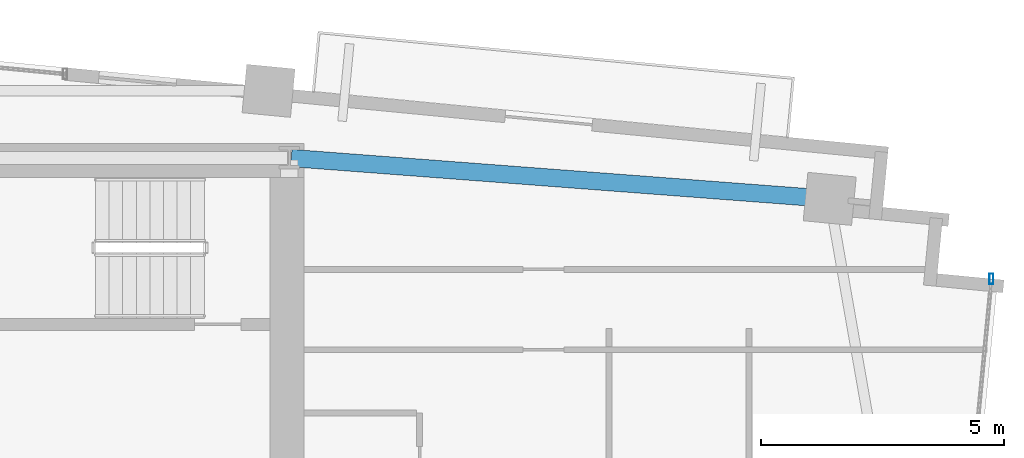
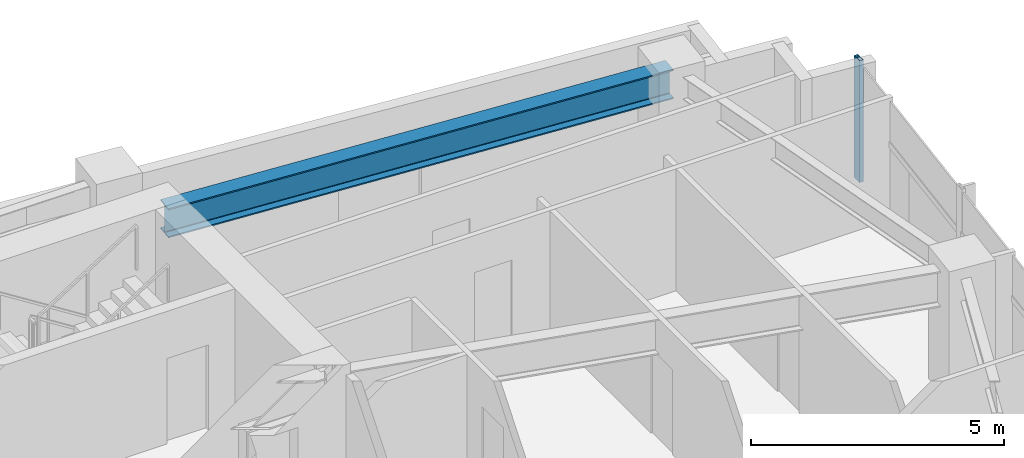
# One storey, part 12 of 19: 1 beam, 1 member, 1 element without a shape of its own.
"""IFC4 building model written with IfcOpenShell, lengths in metres."""

from ifc_helpers import new_model, si_unit, direction, frame, origin, origin_2d, place, context, subcontext, project, spatial, hollow_rectangle, i_section, extrude, source, transform, mapped, material, material_profile, profile_set, type_object, type_shapes, element, aggregate, save


model = new_model("IFC4")

# Units and contexts
model_context = context("Model", 3, precision=1e-05, world=origin(), true_north=direction((0.0, 1.0)))
body_context = subcontext(model_context, "Body", "Model", "MODEL_VIEW")
ifc_project = project(units=[si_unit("LENGTHUNIT", "METRE"), si_unit("AREAUNIT", "SQUARE_METRE"), si_unit("VOLUMEUNIT", "CUBIC_METRE"), si_unit("PLANEANGLEUNIT", "RADIAN"), si_unit("MASSUNIT", "GRAM", prefix="KILO")], contexts=[model_context])

# Site, building, storey
site_placement = place(None, origin())
site = spatial("IfcSite", under=ifc_project, at=site_placement, CompositionType="ELEMENT")
building_placement = place(site_placement, origin())
building = spatial("IfcBuilding", under=site, at=building_placement, Name="Astriad Promenade Condominiums", CompositionType="ELEMENT")
storey_placement = place(building_placement, frame((0.0, 0.0, 150.199951171875)))
storey = spatial("IfcBuildingStorey", under=building, at=storey_placement, Name="L43", CompositionType="ELEMENT", Elevation=150.199951171875)

# Beam
ifc_material_1 = material(Name="Steel ASTM A992 Grade 50", Category="steel")
ifc_material_profile_1 = material_profile(ifc_material_1, i_section(OverallWidth=0.35791015625, OverallDepth=0.706298828125, WebThickness=0.018310546875, FlangeThickness=0.0302734375, FilletRadius=0.020263671875, at=origin_2d()), Name="W27X178")
ifc_profile_set_1 = profile_set([ifc_material_profile_1], Name="Steel ASTM A992 Grade 50")
beam_type = type_object("IfcBeamType", Name="STEEL FLOOR GIRDER W27X178", PredefinedType="BEAM", material=ifc_profile_set_1)
shared_shape_1 = source(origin(), body_context, "Body", "SweptSolid", [
    extrude(i_section(OverallWidth=0.35791015625, OverallDepth=0.706298828125, WebThickness=0.018310546875, FlangeThickness=0.0302734375, FilletRadius=0.020263671875, at=origin_2d()), origin(), (0.0, 0.0, 1.0), 11.0712890625),
])
type_shapes(beam_type, [shared_shape_1])
beam_placement = place(storey_placement, frame((56.679443359375, 23.15966796875, 2.5869140625), z_axis=(-0.997135384808, 0.075637453445, 0.0), x_axis=(-0.075637453445, -0.997135384808, 0.0)))
element("IfcBeam", 1, at=beam_placement, inside=storey, type_object=beam_type, Name="Primary Floor Girder PG-NE-L43", PredefinedType="BEAM", context=body_context, shape_type="MappedRepresentation", body=[
    mapped(shared_shape_1, transform((0.0, 0.0, 0.0), scale=1.0)),
])

# Curtain wall, member
ifc_material_2 = material(Name="Anodised aluminium Black Dark Glass Unitised", Category="aluminium")
curtain_wall_type = type_object("IfcCurtainWallType", Name="CW-B34-DARK", PredefinedType="USERDEFINED", material=ifc_material_2)
curtain_wall_placement = place(storey_placement, origin())
curtain_wall = element("IfcCurtainWall", 2, at=curtain_wall_placement, inside=storey, type_object=curtain_wall_type, Name="CW-L43-E", ObjectType="UNITISED_CURTAIN_WALL", PredefinedType="USERDEFINED")
ifc_material_3 = material(Name="Anodised aluminium 6063-T6 Black", Category="aluminium")
ifc_material_profile_2 = material_profile(ifc_material_3, hollow_rectangle(XDim=0.0849609375, YDim=0.219970703125, WallThickness=0.0048828125, at=origin_2d()), Name="ALU-MUL-85X220")
ifc_profile_set_2 = profile_set([ifc_material_profile_2], Name="Anodised aluminium 6063-T6 Black")
member_type = type_object("IfcMemberType", Name="MUL-ALU-MUL-85X220", PredefinedType="MULLION", material=ifc_profile_set_2)
shared_shape_2 = source(origin(), body_context, "Body", "SweptSolid", [
    extrude(hollow_rectangle(XDim=0.0849609375, YDim=0.219970703125, WallThickness=0.0048828125, at=origin_2d()), origin(), (0.0, 0.0, 1.0), 2.93994140625),
])
type_shapes(member_type, [shared_shape_2])
member_placement = place(storey_placement, frame((60.046875, 21.51025390625, 0.0), z_axis=(0.0, 0.0, 1.0), x_axis=(1.0, 0.0, 0.0)))
member = element("IfcMember", 3, at=member_placement, type_object=member_type, Name="CW-L43-E-MUL-00", PredefinedType="MULLION", context=body_context, shape_type="MappedRepresentation", body=[
    mapped(shared_shape_2, transform((0.0, 0.0, 0.0), scale=1.0)),
])
aggregate(curtain_wall, [member])

save(model, "model.ifc")
